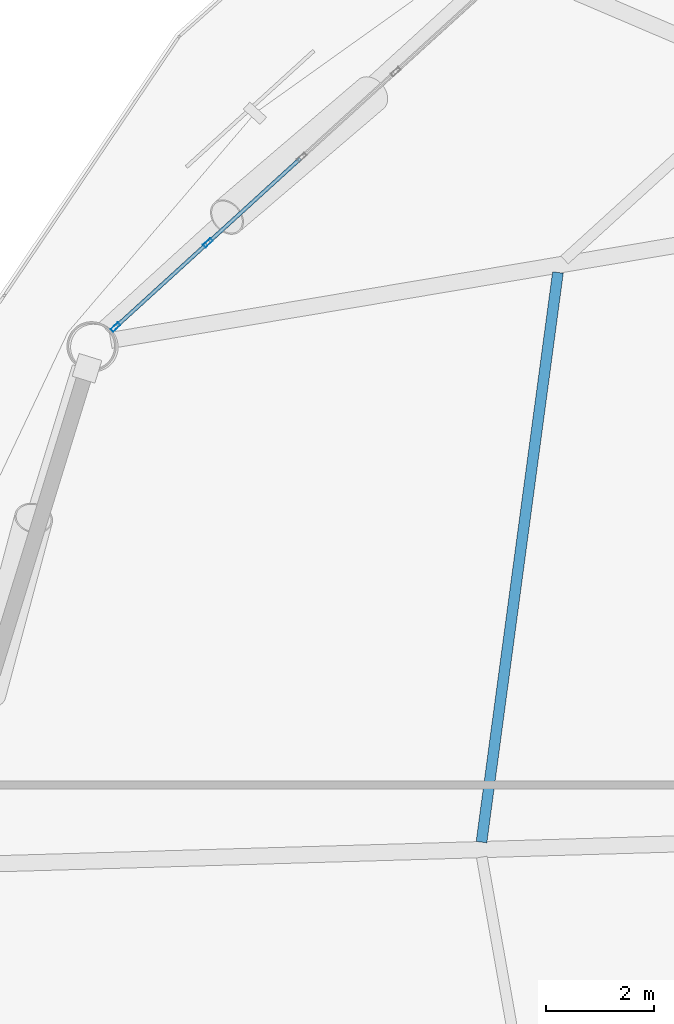
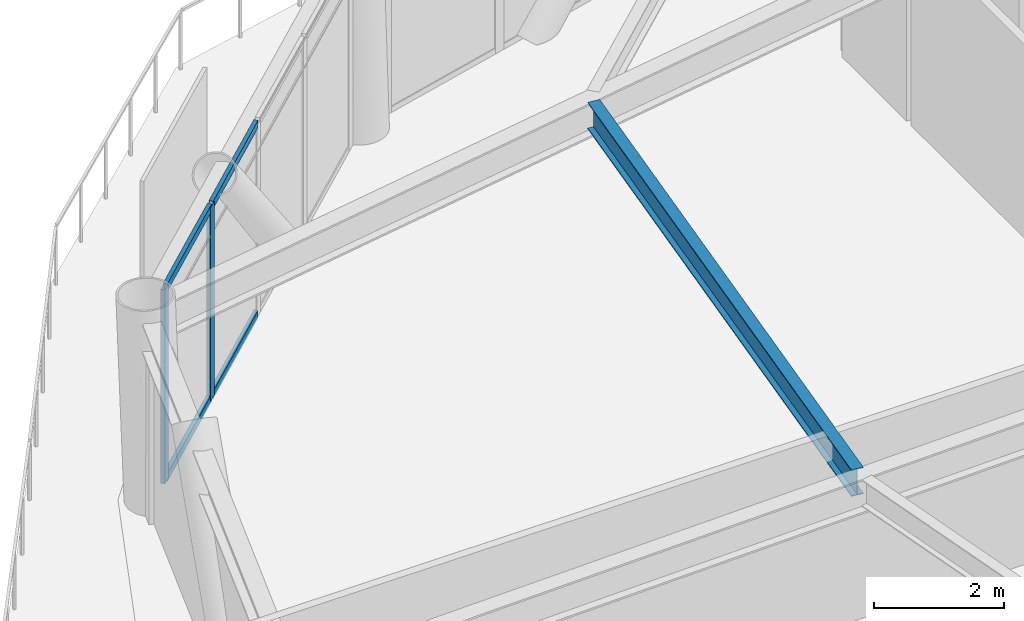
# One storey, part 10 of 25: 6 members, 1 beam, 1 element without a shape of its own.
"""IFC4 building model written with IfcOpenShell, lengths in metres."""

from ifc_helpers import new_model, si_unit, direction, frame, origin, origin_2d, place, context, subcontext, project, spatial, hollow_rectangle, i_section, extrude, material, layer, layer_set, material_profile, profile_set, type_object, element, aggregate, save


model = new_model("IFC4")

# Units and contexts
model_context = context("Model", 3, precision=1e-05, world=origin(), true_north=direction((0.0, 1.0)))
body_context = subcontext(model_context, "Body", "Model", "MODEL_VIEW")
ifc_project = project(units=[si_unit("LENGTHUNIT", "METRE"), si_unit("AREAUNIT", "SQUARE_METRE"), si_unit("VOLUMEUNIT", "CUBIC_METRE"), si_unit("PLANEANGLEUNIT", "RADIAN"), si_unit("MASSUNIT", "GRAM", prefix="KILO")], contexts=[model_context])

# Site, building, storey
site_placement = place(None, origin())
site = spatial("IfcSite", under=ifc_project, at=site_placement, CompositionType="ELEMENT")
building_placement = place(site_placement, origin())
building = spatial("IfcBuilding", under=site, at=building_placement, Name="Varnakorn Sky Granary", CompositionType="ELEMENT")
storey_placement = place(building_placement, frame((0.0, 0.0, 54.89990234375)))
storey = spatial("IfcBuildingStorey", under=building, at=storey_placement, Name="L13", CompositionType="ELEMENT", Elevation=54.89990234375)

# Beam
ifc_material_1 = material(Name="Steel S355JR", Category="steel")
ifc_material_profile_1 = material_profile(ifc_material_1, i_section(OverallWidth=0.199951171875, OverallDepth=0.5, WebThickness=0.01025390625, FlangeThickness=0.01611328125, at=origin_2d()), Name="IPE 500")
ifc_profile_set_1 = profile_set([ifc_material_profile_1], Name="Steel S355JR")
beam_type = type_object("IfcBeamType", Name="BM-SEC-Z1", PredefinedType="BEAM", material=ifc_profile_set_1)
beam_placement = place(storey_placement, frame((-11.170654296875, 11.01171875, 3.39013671875), z_axis=(-0.132995696803, -0.991116615052, 0.0), x_axis=(0.991116615052, -0.132995696803, 0.0)))
element("IfcBeam", 1, at=beam_placement, inside=storey, type_object=beam_type, Name="Secondary Floor Chord Beam MSB06 L13", PredefinedType="BEAM", context=body_context, shape_type="SweptSolid", body=[
    extrude(i_section(OverallWidth=0.199951171875, OverallDepth=0.5, WebThickness=0.01025390625, FlangeThickness=0.01611328125, at=origin_2d()), origin(), (0.0, 0.0, 1.0), 10.667236328125),
])

# Curtain wall, members
ifc_material_2 = material(Name="Anodised Bronze Aluminium Alloy 6063-T6", Category="aluminium")
ifc_layer = layer(ifc_material_2, 0.18994140625, Name="Anodised Bronze Aluminium Alloy 6063-T6")
ifc_layer_set = layer_set([ifc_layer], Name="Anodised Bronze Aluminium Alloy 6063-T6")
curtain_wall_type = type_object("IfcCurtainWallType", Name="CW-FRM-1", PredefinedType="USERDEFINED", material=ifc_layer_set)
curtain_wall_placement = place(storey_placement, origin())
curtain_wall = element("IfcCurtainWall", 2, at=curtain_wall_placement, inside=storey, type_object=curtain_wall_type, Name="Unitised Curtain Wall CW3 CW-L13-B05", ObjectType="CURTAIN WALL", PredefinedType="USERDEFINED")
ifc_material_profile_2 = material_profile(ifc_material_2, hollow_rectangle(XDim=0.070068359375, YDim=0.18505859375, WallThickness=0.00390625, at=origin_2d()), Name="ALU MULL 70x185")
ifc_profile_set_2 = profile_set([ifc_material_profile_2], Name="Anodised Bronze Aluminium Alloy 6063-T6")
member_type_1 = type_object("IfcMemberType", Name="CW-FRM-1-MULL", PredefinedType="MULLION", material=ifc_profile_set_2)
member_1_placement = place(storey_placement, frame((-19.381591796875, 9.997802734375, 0.0), z_axis=(0.0, 0.0, 1.0), x_axis=(-0.673686552194, 0.739017205072, 0.0)))
member_1 = element("IfcMember", 3, at=member_1_placement, type_object=member_type_1, Name="CW3 mullion 1", PredefinedType="MULLION", context=body_context, shape_type="SweptSolid", body=[
    extrude(hollow_rectangle(XDim=0.070068359375, YDim=0.18505859375, WallThickness=0.00390625, at=origin_2d()), origin(), (0.0, 0.0, 1.0), 3.64013671875),
])
member_2_placement = place(storey_placement, frame((-17.666015625, 11.561767578125, 0.0), z_axis=(0.0, 0.0, 1.0), x_axis=(-0.673686552194, 0.739017205072, 0.0)))
member_2 = element("IfcMember", 4, at=member_2_placement, type_object=member_type_1, Name="CW3 mullion 2", PredefinedType="MULLION", context=body_context, shape_type="SweptSolid", body=[
    extrude(hollow_rectangle(XDim=0.070068359375, YDim=0.18505859375, WallThickness=0.00390625, at=origin_2d()), origin(), (0.0, 0.0, 1.0), 3.64013671875),
])
ifc_material_profile_3 = material_profile(ifc_material_2, hollow_rectangle(XDim=0.070068359375, YDim=0.139892578125, WallThickness=0.00341796875, at=origin_2d()), Name="ALU TRAN 70x140")
ifc_profile_set_3 = profile_set([ifc_material_profile_3], Name="Anodised Bronze Aluminium Alloy 6063-T6")
member_type_2 = type_object("IfcMemberType", Name="CW-FRM-1-TRAN", PredefinedType="USERDEFINED", material=ifc_profile_set_3)
member_3_placement = place(storey_placement, frame((-19.355712890625, 10.021484375, 0.03515625), z_axis=(0.738992363836, 0.673713801396, 0.0), x_axis=(-0.673713801396, 0.738992363836, 0.0)))
member_3 = element("IfcMember", 5, at=member_3_placement, type_object=member_type_2, Name="CW3 transom 1.1", ObjectType="TRANSOM", PredefinedType="USERDEFINED", context=body_context, shape_type="SweptSolid", body=[
    extrude(hollow_rectangle(XDim=0.070068359375, YDim=0.139892578125, WallThickness=0.00341796875, at=origin_2d()), origin(), (0.0, 0.0, 1.0), 2.25146484375),
])
member_4_placement = place(storey_placement, frame((-19.355712890625, 10.021484375, 3.60498046875), z_axis=(0.738992363836, 0.673713801396, 0.0), x_axis=(-0.673713801396, 0.738992363836, 0.0)))
member_4 = element("IfcMember", 6, at=member_4_placement, type_object=member_type_2, Name="CW3 transom 1.2", ObjectType="TRANSOM", PredefinedType="USERDEFINED", context=body_context, shape_type="SweptSolid", body=[
    extrude(hollow_rectangle(XDim=0.070068359375, YDim=0.139892578125, WallThickness=0.00341796875, at=origin_2d()), origin(), (0.0, 0.0, 1.0), 2.25146484375),
])
member_5_placement = place(storey_placement, frame((-17.64013671875, 11.58544921875, 0.03515625), z_axis=(0.739026202882, 0.673676681691, 0.0), x_axis=(-0.673676681691, 0.739026202882, 0.0)))
member_5 = element("IfcMember", 7, at=member_5_placement, type_object=member_type_2, Name="CW3 transom 2.1", ObjectType="TRANSOM", PredefinedType="USERDEFINED", context=body_context, shape_type="SweptSolid", body=[
    extrude(hollow_rectangle(XDim=0.070068359375, YDim=0.139892578125, WallThickness=0.00341796875, at=origin_2d()), origin(), (0.0, 0.0, 1.0), 2.286376953125),
])
member_6_placement = place(storey_placement, frame((-17.64013671875, 11.58544921875, 3.60498046875), z_axis=(0.739026202882, 0.673676681691, 0.0), x_axis=(-0.673676681691, 0.739026202882, 0.0)))
member_6 = element("IfcMember", 8, at=member_6_placement, type_object=member_type_2, Name="CW3 transom 2.2", ObjectType="TRANSOM", PredefinedType="USERDEFINED", context=body_context, shape_type="SweptSolid", body=[
    extrude(hollow_rectangle(XDim=0.070068359375, YDim=0.139892578125, WallThickness=0.00341796875, at=origin_2d()), origin(), (0.0, 0.0, 1.0), 2.286376953125),
])
aggregate(curtain_wall, [member_1, member_2, member_3, member_4, member_5, member_6])

save(model, "model.ifc")
